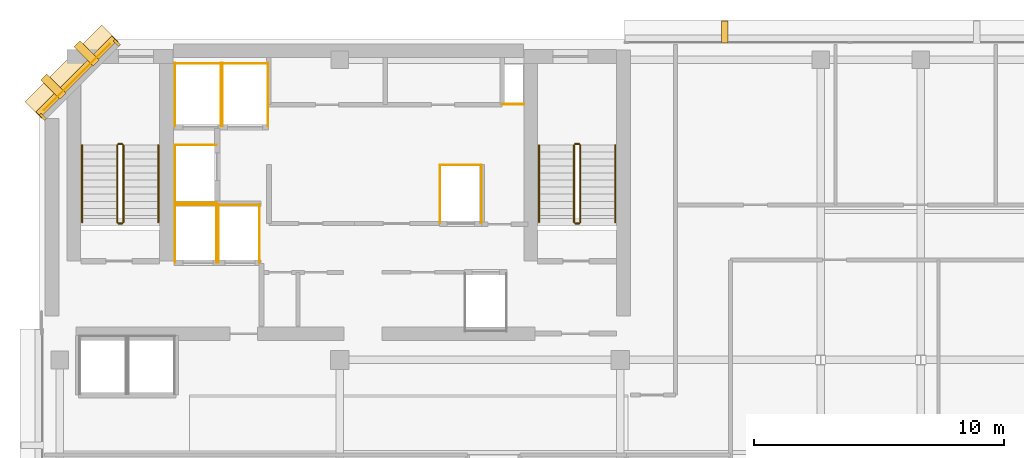
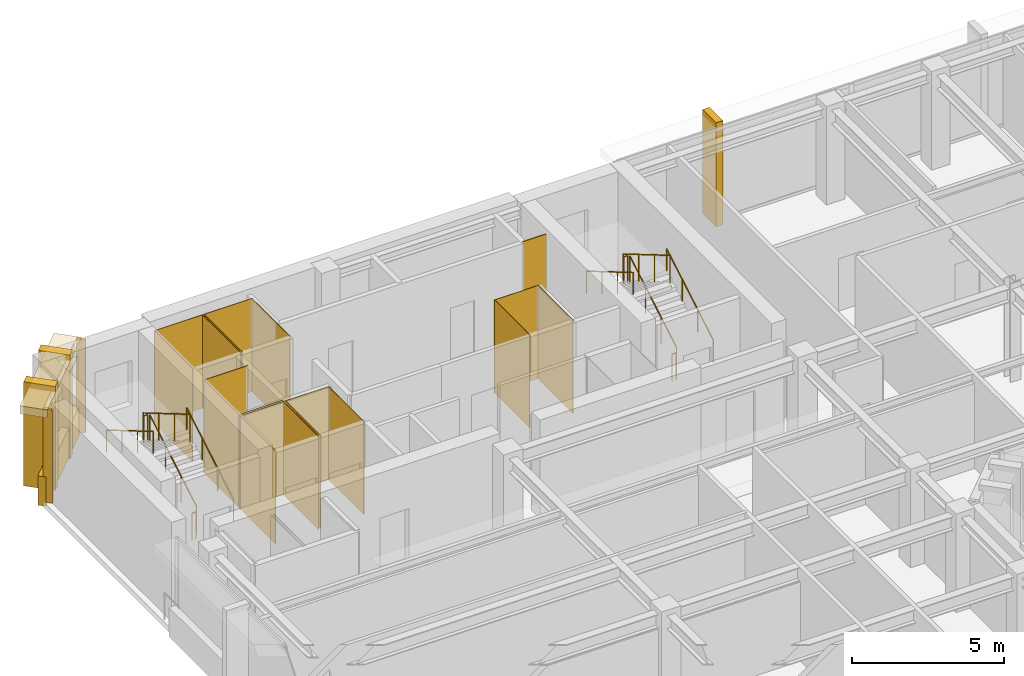
# One storey, part 10 of 11: 27 coverings, 12 railings.
"""IFC4 building model written with IfcOpenShell, lengths in metres."""

from ifc_helpers import new_model, si_unit, direction, frame, origin, origin_2d, place, context, subcontext, project, spatial, polyline, rectangle, circle, outline, extrude, material, layer, layer_set, type_object, element, save


model = new_model("IFC4")

# Units and contexts
model_context = context("Model", 3, precision=1e-05, world=origin(), true_north=direction((0.0, 1.0)))
body_context = subcontext(model_context, "Body", "Model", "MODEL_VIEW")
ifc_project = project(units=[si_unit("LENGTHUNIT", "METRE"), si_unit("AREAUNIT", "SQUARE_METRE"), si_unit("VOLUMEUNIT", "CUBIC_METRE"), si_unit("PLANEANGLEUNIT", "RADIAN"), si_unit("MASSUNIT", "GRAM", prefix="KILO")], contexts=[model_context])

# Site, building, storey
site_placement = place(None, origin())
site = spatial("IfcSite", under=ifc_project, at=site_placement, CompositionType="ELEMENT")
building_placement = place(site_placement, origin())
building = spatial("IfcBuilding", under=site, at=building_placement, Name="Kefirva Bronze Tower", CompositionType="ELEMENT")
storey_placement = place(building_placement, frame((0.0, 0.0, 315.81005859375)))
storey = spatial("IfcBuildingStorey", under=building, at=storey_placement, Name="L77", CompositionType="ELEMENT", Elevation=315.81005859375)

# Coverings
ifc_material_1 = material(Name="Bronze anodised aluminium", Category="aluminium")
ifc_layer_1 = layer(ifc_material_1, 0.02001953125, Name="Bronze anodised aluminium")
ifc_layer_set_1 = layer_set([ifc_layer_1], Name="Bronze anodised aluminium")
covering_type_1 = type_object("IfcCoveringType", Name="Anodised Bronze Spandrel Cladding 20mm", PredefinedType="CLADDING", material=ifc_layer_set_1)
covering_1_placement = place(storey_placement, frame((1.492919921875, 44.507080078125, 3.320068359375), z_axis=(0.0, 0.0, 1.0), x_axis=(-0.707106781187, -0.707106781187, 0.0)))
element("IfcCovering", 1, at=covering_1_placement, inside=storey, type_object=covering_type_1, Name="L77 Bronze Spandrel Cladding 6", PredefinedType="CLADDING", context=body_context, shape_type="SweptSolid", body=[
    extrude(rectangle(XDim=3.719482421875, YDim=0.02001953125, at=origin_2d()), origin(), (0.0, 0.0, 1.0), 0.39990234375),
])
for number, where, z_axis, x_axis, name in (
    (2, (3.08837890625, 45.862060546875, 0.0), (0.0, 0.0, 1.0), (-0.707106781187, -0.707106781187, 0.0), "L77 Facade Joint Closure Panel 6S"),
    (3, (0.137939453125, 42.91162109375, 0.0), (0.0, 0.0, 1.0), (-0.707106781187, -0.707106781187, 0.0), "L77 Facade Joint Closure Panel 6E"),
):
    element("IfcCovering", number, at=place(storey_placement, frame(where, z_axis=z_axis, x_axis=x_axis)), inside=storey, type_object=covering_type_1, Name=name, PredefinedType="CLADDING", context=body_context, shape_type="SweptSolid", body=[
        extrude(rectangle(XDim=0.10009765625, YDim=0.320068359375, at=origin_2d()), origin(), (0.0, 0.0, 1.0), 3.739990234375),
    ])
covering_2_placement = place(storey_placement, frame((1.4716796875, 44.5283203125, -0.16015625), z_axis=(0.0, 0.0, 1.0), x_axis=(-0.707106781187, -0.707106781187, 0.0)))
element("IfcCovering", 4, at=covering_2_placement, inside=storey, type_object=covering_type_1, Name="L77 Streamline Horizontal Spandrel Band 9", PredefinedType="CLADDING", context=body_context, shape_type="SweptSolid", body=[
    extrude(rectangle(XDim=4.28271484375, YDim=0.280029296875, at=origin_2d()), origin(), (0.0, 0.0, 1.0), 1.179931640625),
])
covering_3_placement = place(storey_placement, origin())
element("IfcCovering", 5, at=covering_3_placement, inside=storey, type_object=covering_type_1, Name="L77 Lift FF1 Hoistway Liner N", PredefinedType="CLADDING", context=body_context, shape_type="SweptSolid", body=[
    extrude(outline(polyline([(5.39990234375, 39.389892578125), (7.080078125, 39.389892578125), (7.080078125, 39.409912109375), (5.39990234375, 39.409912109375), (5.39990234375, 39.389892578125)])), origin(), (0.0, 0.0, 1.0), 3.739990234375),
])
covering_4_placement = place(storey_placement, origin())
element("IfcCovering", 6, at=covering_4_placement, inside=storey, type_object=covering_type_1, Name="L77 Lift FF1 Hoistway Liner W", PredefinedType="CLADDING", context=body_context, shape_type="SweptSolid", body=[
    extrude(outline(polyline([(5.409912109375, 37.080078125), (5.429931640625, 37.080078125), (5.429931640625, 39.419921875), (5.409912109375, 39.419921875), (5.409912109375, 37.080078125)])), origin(), (0.0, 0.0, 1.0), 3.739990234375),
])
covering_5_placement = place(storey_placement, origin())
element("IfcCovering", 7, at=covering_5_placement, inside=storey, type_object=covering_type_1, Name="L77 Lift FF1 Hoistway Liner E", PredefinedType="CLADDING", context=body_context, shape_type="SweptSolid", body=[
    extrude(outline(polyline([(7.050048828125, 37.080078125), (7.070068359375, 37.080078125), (7.070068359375, 39.419921875), (7.050048828125, 39.419921875), (7.050048828125, 37.080078125)])), origin(), (0.0, 0.0, 1.0), 3.739990234375),
])
covering_6_placement = place(storey_placement, origin())
element("IfcCovering", 8, at=covering_6_placement, inside=storey, type_object=covering_type_1, Name="L77 Lift FF2 Hoistway Liner N", PredefinedType="CLADDING", context=body_context, shape_type="SweptSolid", body=[
    extrude(outline(polyline([(7.1201171875, 39.389892578125), (8.800048828125, 39.389892578125), (8.800048828125, 39.409912109375), (7.1201171875, 39.409912109375), (7.1201171875, 39.389892578125)])), origin(), (0.0, 0.0, 1.0), 3.739990234375),
])
covering_7_placement = place(storey_placement, origin())
element("IfcCovering", 9, at=covering_7_placement, inside=storey, type_object=covering_type_1, Name="L77 Lift FF2 Hoistway Liner W", PredefinedType="CLADDING", context=body_context, shape_type="SweptSolid", body=[
    extrude(outline(polyline([(7.1298828125, 37.080078125), (7.14990234375, 37.080078125), (7.14990234375, 39.419921875), (7.1298828125, 39.419921875), (7.1298828125, 37.080078125)])), origin(), (0.0, 0.0, 1.0), 3.739990234375),
])
covering_8_placement = place(storey_placement, origin())
element("IfcCovering", 10, at=covering_8_placement, inside=storey, type_object=covering_type_1, Name="L77 Lift FF2 Hoistway Liner E", PredefinedType="CLADDING", context=body_context, shape_type="SweptSolid", body=[
    extrude(outline(polyline([(8.77001953125, 37.080078125), (8.7900390625, 37.080078125), (8.7900390625, 39.419921875), (8.77001953125, 39.419921875), (8.77001953125, 37.080078125)])), origin(), (0.0, 0.0, 1.0), 3.739990234375),
])
covering_9_placement = place(storey_placement, origin())
element("IfcCovering", 11, at=covering_9_placement, inside=storey, type_object=covering_type_1, Name="L77 Lift SV1 Hoistway Liner N", PredefinedType="CLADDING", context=body_context, shape_type="SweptSolid", body=[
    extrude(outline(polyline([(5.39990234375, 45.0400390625), (7.260009765625, 45.0400390625), (7.260009765625, 45.06005859375), (5.39990234375, 45.06005859375), (5.39990234375, 45.0400390625)])), origin(), (0.0, 0.0, 1.0), 3.739990234375),
])
covering_10_placement = place(storey_placement, origin())
element("IfcCovering", 12, at=covering_10_placement, inside=storey, type_object=covering_type_1, Name="L77 Lift SV1 Hoistway Liner W", PredefinedType="CLADDING", context=body_context, shape_type="SweptSolid", body=[
    extrude(outline(polyline([(5.409912109375, 42.530029296875), (5.429931640625, 42.530029296875), (5.429931640625, 45.070068359375), (5.409912109375, 45.070068359375), (5.409912109375, 42.530029296875)])), origin(), (0.0, 0.0, 1.0), 3.739990234375),
])
covering_11_placement = place(storey_placement, origin())
element("IfcCovering", 13, at=covering_11_placement, inside=storey, type_object=covering_type_1, Name="L77 Lift SV1 Hoistway Liner E", PredefinedType="CLADDING", context=body_context, shape_type="SweptSolid", body=[
    extrude(outline(polyline([(7.22998046875, 42.530029296875), (7.25, 42.530029296875), (7.25, 45.070068359375), (7.22998046875, 45.070068359375), (7.22998046875, 42.530029296875)])), origin(), (0.0, 0.0, 1.0), 3.739990234375),
])
covering_12_placement = place(storey_placement, origin())
element("IfcCovering", 14, at=covering_12_placement, inside=storey, type_object=covering_type_1, Name="L77 Lift SV2 Hoistway Liner N", PredefinedType="CLADDING", context=body_context, shape_type="SweptSolid", body=[
    extrude(outline(polyline([(7.280029296875, 45.0400390625), (9.139892578125, 45.0400390625), (9.139892578125, 45.06005859375), (7.280029296875, 45.06005859375), (7.280029296875, 45.0400390625)])), origin(), (0.0, 0.0, 1.0), 3.739990234375),
])
covering_13_placement = place(storey_placement, origin())
element("IfcCovering", 15, at=covering_13_placement, inside=storey, type_object=covering_type_1, Name="L77 Lift SV2 Hoistway Liner W", PredefinedType="CLADDING", context=body_context, shape_type="SweptSolid", body=[
    extrude(outline(polyline([(7.2900390625, 42.530029296875), (7.31005859375, 42.530029296875), (7.31005859375, 45.070068359375), (7.2900390625, 45.070068359375), (7.2900390625, 42.530029296875)])), origin(), (0.0, 0.0, 1.0), 3.739990234375),
])
covering_14_placement = place(storey_placement, origin())
element("IfcCovering", 16, at=covering_14_placement, inside=storey, type_object=covering_type_1, Name="L77 Lift SV2 Hoistway Liner E", PredefinedType="CLADDING", context=body_context, shape_type="SweptSolid", body=[
    extrude(outline(polyline([(9.110107421875, 42.530029296875), (9.1298828125, 42.530029296875), (9.1298828125, 45.070068359375), (9.110107421875, 45.070068359375), (9.110107421875, 42.530029296875)])), origin(), (0.0, 0.0, 1.0), 3.739990234375),
])
covering_15_placement = place(storey_placement, origin())
element("IfcCovering", 17, at=covering_15_placement, inside=storey, type_object=covering_type_1, Name="L77 Lift HP2 Hoistway Liner N", PredefinedType="CLADDING", context=body_context, shape_type="SweptSolid", body=[
    extrude(outline(polyline([(15.97998046875, 40.969970703125), (17.669921875, 40.969970703125), (17.669921875, 40.989990234375), (15.97998046875, 40.989990234375), (15.97998046875, 40.969970703125)])), origin(), (0.0, 0.0, 1.0), 3.739990234375),
])
covering_16_placement = place(storey_placement, origin())
element("IfcCovering", 18, at=covering_16_placement, inside=storey, type_object=covering_type_1, Name="L77 Lift HP2 Hoistway Liner W", PredefinedType="CLADDING", context=body_context, shape_type="SweptSolid", body=[
    extrude(outline(polyline([(15.989990234375, 38.659912109375), (16.010009765625, 38.659912109375), (16.010009765625, 41.0), (15.989990234375, 41.0), (15.989990234375, 38.659912109375)])), origin(), (0.0, 0.0, 1.0), 3.739990234375),
])
covering_17_placement = place(storey_placement, origin())
element("IfcCovering", 19, at=covering_17_placement, inside=storey, type_object=covering_type_1, Name="L77 Lift HP2 Hoistway Liner E", PredefinedType="CLADDING", context=body_context, shape_type="SweptSolid", body=[
    extrude(outline(polyline([(17.639892578125, 38.659912109375), (17.659912109375, 38.659912109375), (17.659912109375, 41.0), (17.639892578125, 41.0), (17.639892578125, 38.659912109375)])), origin(), (0.0, 0.0, 1.0), 3.739990234375),
])
covering_18_placement = place(storey_placement, origin())
element("IfcCovering", 20, at=covering_18_placement, inside=storey, type_object=covering_type_1, Name="L77 Lift HP3 Hoistway Liner N", PredefinedType="CLADDING", context=body_context, shape_type="SweptSolid", body=[
    extrude(outline(polyline([(5.39990234375, 41.77001953125), (7.080078125, 41.77001953125), (7.080078125, 41.7900390625), (5.39990234375, 41.7900390625), (5.39990234375, 41.77001953125)])), origin(), (0.0, 0.0, 1.0), 3.739990234375),
])
covering_19_placement = place(storey_placement, origin())
element("IfcCovering", 21, at=covering_19_placement, inside=storey, type_object=covering_type_1, Name="L77 Lift HP3 Hoistway Liner S", PredefinedType="CLADDING", context=body_context, shape_type="SweptSolid", body=[
    extrude(outline(polyline([(5.39990234375, 39.469970703125), (7.080078125, 39.469970703125), (7.080078125, 39.489990234375), (5.39990234375, 39.489990234375), (5.39990234375, 39.469970703125)])), origin(), (0.0, 0.0, 1.0), 3.739990234375),
])
covering_20_placement = place(storey_placement, origin())
element("IfcCovering", 22, at=covering_20_placement, inside=storey, type_object=covering_type_1, Name="L77 Lift HP3 Hoistway Liner W", PredefinedType="CLADDING", context=body_context, shape_type="SweptSolid", body=[
    extrude(outline(polyline([(5.409912109375, 39.4599609375), (5.429931640625, 39.4599609375), (5.429931640625, 41.800048828125), (5.409912109375, 41.800048828125), (5.409912109375, 39.4599609375)])), origin(), (0.0, 0.0, 1.0), 3.739990234375),
])
covering_21_placement = place(storey_placement, origin())
element("IfcCovering", 23, at=covering_21_placement, inside=storey, type_object=covering_type_1, Name="L77 Core MEP Riser Shaft Liner South", PredefinedType="CLADDING", context=body_context, shape_type="SweptSolid", body=[
    extrude(outline(polyline([(18.47998046875, 43.39990234375), (19.360107421875, 43.39990234375), (19.360107421875, 43.429931640625), (18.47998046875, 43.429931640625), (18.47998046875, 43.39990234375)])), origin(), (0.0, 0.0, 1.0), 3.739990234375),
])

# Railings
ifc_material_2 = material(Name="Stainless steel 316", Category="steel")
railing_type_1 = type_object("IfcRailingType", Name="Interior Stair Guardrail 1100mm", PredefinedType="GUARDRAIL", material=ifc_material_2)
railing_1_placement = place(storey_placement, frame((3.35009765625, 38.699951171875, 0.1650390625)))
element("IfcRailing", 24, at=railing_1_placement, inside=storey, type_object=railing_type_1, Name="L77 ST-1 stair guard 1", PredefinedType="GUARDRAIL", context=body_context, shape_type="SweptSolid", body=[
    extrude(circle(Radius=0.02392578125, at=origin_2d()), frame((0.0, 0.0, 1.076171875), z_axis=(0.0, 0.861551262678, 0.507670583921), x_axis=(-1.0, 0.0, 0.0)), (0.0, 0.0, 1.0), 3.574951171875),
    extrude(circle(Radius=0.02099609375, at=origin_2d()), origin(), (0.0, 0.0, 1.0), 1.052001953125),
    extrude(circle(Radius=0.02099609375, at=origin_2d()), frame((0.0, 1.026611328125, 0.60498046875)), (0.0, 0.0, 1.0), 1.052001953125),
    extrude(circle(Radius=0.02099609375, at=origin_2d()), frame((0.0, 2.053466796875, 1.2099609375)), (0.0, 0.0, 1.0), 1.052001953125),
    extrude(circle(Radius=0.02099609375, at=origin_2d()), frame((0.0, 3.080078125, 1.81494140625)), (0.0, 0.0, 1.0), 1.052001953125),
])
railing_2_placement = place(storey_placement, frame((3.300048828125, 41.830078125, 1.97998046875)))
element("IfcRailing", 25, at=railing_2_placement, inside=storey, type_object=railing_type_1, Name="L77 ST-1 stair guard 2", PredefinedType="GUARDRAIL", context=body_context, shape_type="SweptSolid", body=[
    extrude(circle(Radius=0.02392578125, at=origin_2d()), frame((0.0, 0.0, 1.076171875), z_axis=(-1.0, 0.0, 0.0), x_axis=(0.0, -1.0, 0.0)), (0.0, 0.0, 1.0), 0.150146484375),
    extrude(circle(Radius=0.02099609375, at=origin_2d()), origin(), (0.0, 0.0, 1.0), 1.052001953125),
    extrude(circle(Radius=0.02099609375, at=origin_2d()), frame((-0.150146484375, 0.0, 0.0)), (0.0, 0.0, 1.0), 1.052001953125),
])
railing_3_placement = place(storey_placement, frame((3.10009765625, 41.780029296875, 2.14501953125)))
element("IfcRailing", 26, at=railing_3_placement, inside=storey, type_object=railing_type_1, Name="L77 ST-1 stair guard 3", PredefinedType="GUARDRAIL", context=body_context, shape_type="SweptSolid", body=[
    extrude(circle(Radius=0.02392578125, at=origin_2d()), frame((0.0, 0.0, 1.076171875), z_axis=(0.0, -0.861551262678, 0.507670583921), x_axis=(1.0, 0.0, 0.0)), (0.0, 0.0, 1.0), 3.574951171875),
    extrude(circle(Radius=0.02099609375, at=origin_2d()), origin(), (0.0, 0.0, 1.0), 1.052001953125),
    extrude(circle(Radius=0.02099609375, at=origin_2d()), frame((0.0, -1.026611328125, 0.60498046875)), (0.0, 0.0, 1.0), 1.052001953125),
    extrude(circle(Radius=0.02099609375, at=origin_2d()), frame((0.0, -2.053466796875, 1.2099609375)), (0.0, 0.0, 1.0), 1.052001953125),
    extrude(circle(Radius=0.02099609375, at=origin_2d()), frame((0.0, -3.080078125, 1.81494140625)), (0.0, 0.0, 1.0), 1.052001953125),
])
railing_4_placement = place(storey_placement, frame((3.300048828125, 38.64990234375, 0.0)))
element("IfcRailing", 27, at=railing_4_placement, inside=storey, type_object=railing_type_1, Name="L77 ST-1 stair guard 4", PredefinedType="GUARDRAIL", context=body_context, shape_type="SweptSolid", body=[
    extrude(circle(Radius=0.02392578125, at=origin_2d()), frame((0.0, 0.0, 1.076171875), z_axis=(-1.0, 0.0, 0.0), x_axis=(0.0, -1.0, 0.0)), (0.0, 0.0, 1.0), 0.150146484375),
    extrude(circle(Radius=0.02099609375, at=origin_2d()), origin(), (0.0, 0.0, 1.0), 1.052001953125),
    extrude(circle(Radius=0.02099609375, at=origin_2d()), frame((-0.150146484375, 0.0, 0.0)), (0.0, 0.0, 1.0), 1.052001953125),
])
railing_5_placement = place(storey_placement, frame((21.60009765625, 38.699951171875, 0.1650390625)))
element("IfcRailing", 28, at=railing_5_placement, inside=storey, type_object=railing_type_1, Name="L77 ST-2 stair guard 1", PredefinedType="GUARDRAIL", context=body_context, shape_type="SweptSolid", body=[
    extrude(circle(Radius=0.02392578125, at=origin_2d()), frame((0.0, 0.0, 1.076171875), z_axis=(0.0, 0.861551262678, 0.507670583921), x_axis=(-1.0, 0.0, 0.0)), (0.0, 0.0, 1.0), 3.574951171875),
    extrude(circle(Radius=0.02099609375, at=origin_2d()), origin(), (0.0, 0.0, 1.0), 1.052001953125),
    extrude(circle(Radius=0.02099609375, at=origin_2d()), frame((0.0, 1.026611328125, 0.60498046875)), (0.0, 0.0, 1.0), 1.052001953125),
    extrude(circle(Radius=0.02099609375, at=origin_2d()), frame((0.0, 2.053466796875, 1.2099609375)), (0.0, 0.0, 1.0), 1.052001953125),
    extrude(circle(Radius=0.02099609375, at=origin_2d()), frame((0.0, 3.080078125, 1.81494140625)), (0.0, 0.0, 1.0), 1.052001953125),
])
railing_6_placement = place(storey_placement, frame((21.550048828125, 41.830078125, 1.97998046875)))
element("IfcRailing", 29, at=railing_6_placement, inside=storey, type_object=railing_type_1, Name="L77 ST-2 stair guard 2", PredefinedType="GUARDRAIL", context=body_context, shape_type="SweptSolid", body=[
    extrude(circle(Radius=0.02392578125, at=origin_2d()), frame((0.0, 0.0, 1.076171875), z_axis=(-1.0, 0.0, 0.0), x_axis=(0.0, -1.0, 0.0)), (0.0, 0.0, 1.0), 0.150146484375),
    extrude(circle(Radius=0.02099609375, at=origin_2d()), origin(), (0.0, 0.0, 1.0), 1.052001953125),
    extrude(circle(Radius=0.02099609375, at=origin_2d()), frame((-0.150146484375, 0.0, 0.0)), (0.0, 0.0, 1.0), 1.052001953125),
])
railing_7_placement = place(storey_placement, frame((21.35009765625, 41.780029296875, 2.14501953125)))
element("IfcRailing", 30, at=railing_7_placement, inside=storey, type_object=railing_type_1, Name="L77 ST-2 stair guard 3", PredefinedType="GUARDRAIL", context=body_context, shape_type="SweptSolid", body=[
    extrude(circle(Radius=0.02392578125, at=origin_2d()), frame((0.0, 0.0, 1.076171875), z_axis=(0.0, -0.861551262678, 0.507670583921), x_axis=(1.0, 0.0, 0.0)), (0.0, 0.0, 1.0), 3.574951171875),
    extrude(circle(Radius=0.02099609375, at=origin_2d()), origin(), (0.0, 0.0, 1.0), 1.052001953125),
    extrude(circle(Radius=0.02099609375, at=origin_2d()), frame((0.0, -1.026611328125, 0.60498046875)), (0.0, 0.0, 1.0), 1.052001953125),
    extrude(circle(Radius=0.02099609375, at=origin_2d()), frame((0.0, -2.053466796875, 1.2099609375)), (0.0, 0.0, 1.0), 1.052001953125),
    extrude(circle(Radius=0.02099609375, at=origin_2d()), frame((0.0, -3.080078125, 1.81494140625)), (0.0, 0.0, 1.0), 1.052001953125),
])
railing_8_placement = place(storey_placement, frame((21.550048828125, 38.64990234375, 0.0)))
element("IfcRailing", 31, at=railing_8_placement, inside=storey, type_object=railing_type_1, Name="L77 ST-2 stair guard 4", PredefinedType="GUARDRAIL", context=body_context, shape_type="SweptSolid", body=[
    extrude(circle(Radius=0.02392578125, at=origin_2d()), frame((0.0, 0.0, 1.076171875), z_axis=(-1.0, 0.0, 0.0), x_axis=(0.0, -1.0, 0.0)), (0.0, 0.0, 1.0), 0.150146484375),
    extrude(circle(Radius=0.02099609375, at=origin_2d()), origin(), (0.0, 0.0, 1.0), 1.052001953125),
    extrude(circle(Radius=0.02099609375, at=origin_2d()), frame((-0.150146484375, 0.0, 0.0)), (0.0, 0.0, 1.0), 1.052001953125),
])
railing_type_2 = type_object("IfcRailingType", Name="Stair Pitch Handrail 900mm", PredefinedType="HANDRAIL", material=ifc_material_2)
railing_9_placement = place(storey_placement, frame((4.75, 38.699951171875, 0.1650390625)))
element("IfcRailing", 32, at=railing_9_placement, inside=storey, type_object=railing_type_2, Name="L77 ST-1 stair handrail 1", PredefinedType="HANDRAIL", context=body_context, shape_type="SweptSolid", body=[
    extrude(circle(Radius=0.02392578125, at=origin_2d()), frame((0.0, 0.0, 0.8759765625), z_axis=(0.0, 0.861551262678, 0.507670583921), x_axis=(-1.0, 0.0, 0.0)), (0.0, 0.0, 1.0), 3.574951171875),
    extrude(circle(Radius=0.02099609375, at=origin_2d()), origin(), (0.0, 0.0, 1.0), 0.851806640625),
    extrude(circle(Radius=0.02099609375, at=origin_2d()), frame((0.0, 1.026611328125, 0.60498046875)), (0.0, 0.0, 1.0), 0.851806640625),
    extrude(circle(Radius=0.02099609375, at=origin_2d()), frame((0.0, 2.053466796875, 1.2099609375)), (0.0, 0.0, 1.0), 0.851806640625),
    extrude(circle(Radius=0.02099609375, at=origin_2d()), frame((0.0, 3.080078125, 1.81494140625)), (0.0, 0.0, 1.0), 0.851806640625),
])
railing_10_placement = place(storey_placement, frame((1.699951171875, 41.780029296875, 2.14501953125)))
element("IfcRailing", 33, at=railing_10_placement, inside=storey, type_object=railing_type_2, Name="L77 ST-1 stair handrail 2", PredefinedType="HANDRAIL", context=body_context, shape_type="SweptSolid", body=[
    extrude(circle(Radius=0.02392578125, at=origin_2d()), frame((0.0, 0.0, 0.8759765625), z_axis=(0.0, -0.861551262678, 0.507670583921), x_axis=(1.0, 0.0, 0.0)), (0.0, 0.0, 1.0), 3.574951171875),
    extrude(circle(Radius=0.02099609375, at=origin_2d()), origin(), (0.0, 0.0, 1.0), 0.851806640625),
    extrude(circle(Radius=0.02099609375, at=origin_2d()), frame((0.0, -1.026611328125, 0.60498046875)), (0.0, 0.0, 1.0), 0.851806640625),
    extrude(circle(Radius=0.02099609375, at=origin_2d()), frame((0.0, -2.053466796875, 1.2099609375)), (0.0, 0.0, 1.0), 0.851806640625),
    extrude(circle(Radius=0.02099609375, at=origin_2d()), frame((0.0, -3.080078125, 1.81494140625)), (0.0, 0.0, 1.0), 0.851806640625),
])
railing_11_placement = place(storey_placement, frame((23.0, 38.699951171875, 0.1650390625)))
element("IfcRailing", 34, at=railing_11_placement, inside=storey, type_object=railing_type_2, Name="L77 ST-2 stair handrail 1", PredefinedType="HANDRAIL", context=body_context, shape_type="SweptSolid", body=[
    extrude(circle(Radius=0.02392578125, at=origin_2d()), frame((0.0, 0.0, 0.8759765625), z_axis=(0.0, 0.861551262678, 0.507670583921), x_axis=(-1.0, 0.0, 0.0)), (0.0, 0.0, 1.0), 3.574951171875),
    extrude(circle(Radius=0.02099609375, at=origin_2d()), origin(), (0.0, 0.0, 1.0), 0.851806640625),
    extrude(circle(Radius=0.02099609375, at=origin_2d()), frame((0.0, 1.026611328125, 0.60498046875)), (0.0, 0.0, 1.0), 0.851806640625),
    extrude(circle(Radius=0.02099609375, at=origin_2d()), frame((0.0, 2.053466796875, 1.2099609375)), (0.0, 0.0, 1.0), 0.851806640625),
    extrude(circle(Radius=0.02099609375, at=origin_2d()), frame((0.0, 3.080078125, 1.81494140625)), (0.0, 0.0, 1.0), 0.851806640625),
])
railing_12_placement = place(storey_placement, frame((19.949951171875, 41.780029296875, 2.14501953125)))
element("IfcRailing", 35, at=railing_12_placement, inside=storey, type_object=railing_type_2, Name="L77 ST-2 stair handrail 2", PredefinedType="HANDRAIL", context=body_context, shape_type="SweptSolid", body=[
    extrude(circle(Radius=0.02392578125, at=origin_2d()), frame((0.0, 0.0, 0.8759765625), z_axis=(0.0, -0.861551262678, 0.507670583921), x_axis=(1.0, 0.0, 0.0)), (0.0, 0.0, 1.0), 3.574951171875),
    extrude(circle(Radius=0.02099609375, at=origin_2d()), origin(), (0.0, 0.0, 1.0), 0.851806640625),
    extrude(circle(Radius=0.02099609375, at=origin_2d()), frame((0.0, -1.026611328125, 0.60498046875)), (0.0, 0.0, 1.0), 0.851806640625),
    extrude(circle(Radius=0.02099609375, at=origin_2d()), frame((0.0, -2.053466796875, 1.2099609375)), (0.0, 0.0, 1.0), 0.851806640625),
    extrude(circle(Radius=0.02099609375, at=origin_2d()), frame((0.0, -3.080078125, 1.81494140625)), (0.0, 0.0, 1.0), 0.851806640625),
])

# Coverings
ifc_layer_2 = layer(ifc_material_1, 0.179931640625, Name="Bronze anodised aluminium")
ifc_layer_set_2 = layer_set([ifc_layer_2], Name="Bronze anodised aluminium")
covering_type_2 = type_object("IfcCoveringType", Name="Streamline Bronze Sunshade Eyebrow Cladding 180mm", PredefinedType="CLADDING", material=ifc_layer_set_2)
covering_22_placement = place(storey_placement, frame((1.28076171875, 44.71923828125, 3.419921875), z_axis=(0.0, 0.0, 1.0), x_axis=(-0.707106781187, -0.707106781187, 0.0)))
element("IfcCovering", 36, at=covering_22_placement, inside=storey, type_object=covering_type_2, Name="L77 Streamline Bronze Sunshade Eyebrow 9", PredefinedType="CLADDING", context=body_context, shape_type="SweptSolid", body=[
    extrude(rectangle(XDim=4.322509765625, YDim=0.93994140625, at=origin_2d()), origin(), (0.0, 0.0, 1.0), 0.320068359375),
])
ifc_layer_3 = layer(ifc_material_1, 0.260009765625, Name="Bronze anodised aluminium")
ifc_layer_set_3 = layer_set([ifc_layer_3], Name="Bronze anodised aluminium")
covering_type_3 = type_object("IfcCoveringType", Name="Unbroken Bronze Buttress Fin Cladding 260mm", PredefinedType="CLADDING", material=ifc_layer_set_3)
covering_23_placement = place(storey_placement, frame((27.364013671875, 46.300048828125, -0.22021484375), z_axis=(0.0, 0.0, 1.0), x_axis=(-1.0, 0.0, 0.0)))
element("IfcCovering", 37, at=covering_23_placement, inside=storey, type_object=covering_type_3, Name="L77 Unbroken Vertical Bronze Rib Fin 18", PredefinedType="CLADDING", context=body_context, shape_type="SweptSolid", body=[
    extrude(rectangle(XDim=0.260009765625, YDim=0.8798828125, at=origin_2d()), origin(), (0.0, 0.0, 1.0), 4.179931640625),
])
for number, where, z_axis, x_axis, name in (
    (38, (1.877197265625, 45.44287109375, -0.22021484375), (0.0, 0.0, 1.0), (-0.707106781187, -0.707106781187, 0.0), "L77 Chamfered Corner Buttress Fin Cladding 19"),
    (39, (0.55712890625, 44.122802734375, -0.22021484375), (0.0, 0.0, 1.0), (-0.707106781187, -0.707106781187, 0.0), "L77 Chamfered Corner Buttress Fin Cladding 20"),
):
    element("IfcCovering", number, at=place(storey_placement, frame(where, z_axis=z_axis, x_axis=x_axis)), inside=storey, type_object=covering_type_3, Name=name, PredefinedType="CLADDING", context=body_context, shape_type="SweptSolid", body=[
        extrude(rectangle(XDim=0.340087890625, YDim=1.080078125, at=origin_2d()), origin(), (0.0, 0.0, 1.0), 4.179931640625),
    ])

save(model, "model.ifc")
